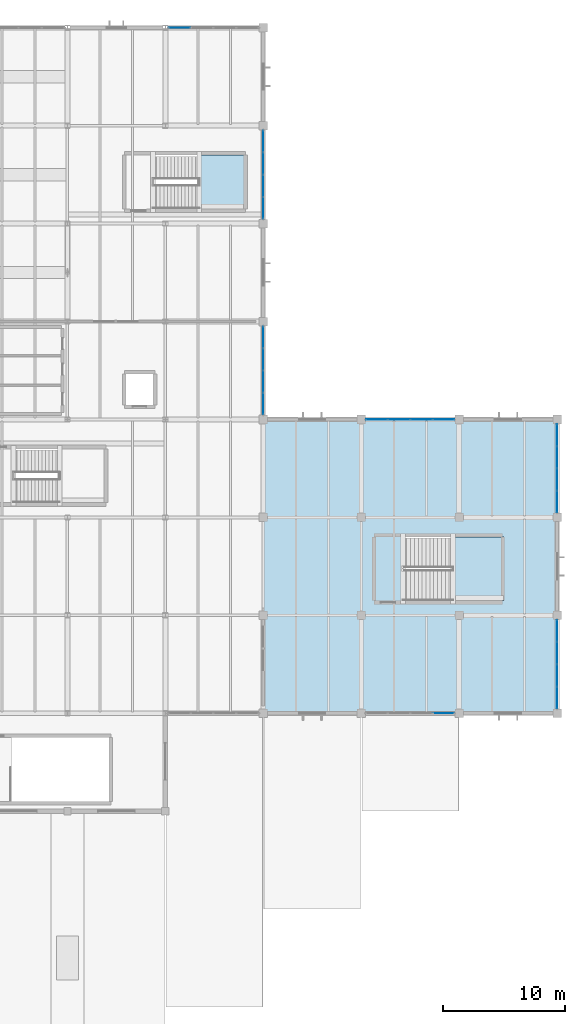
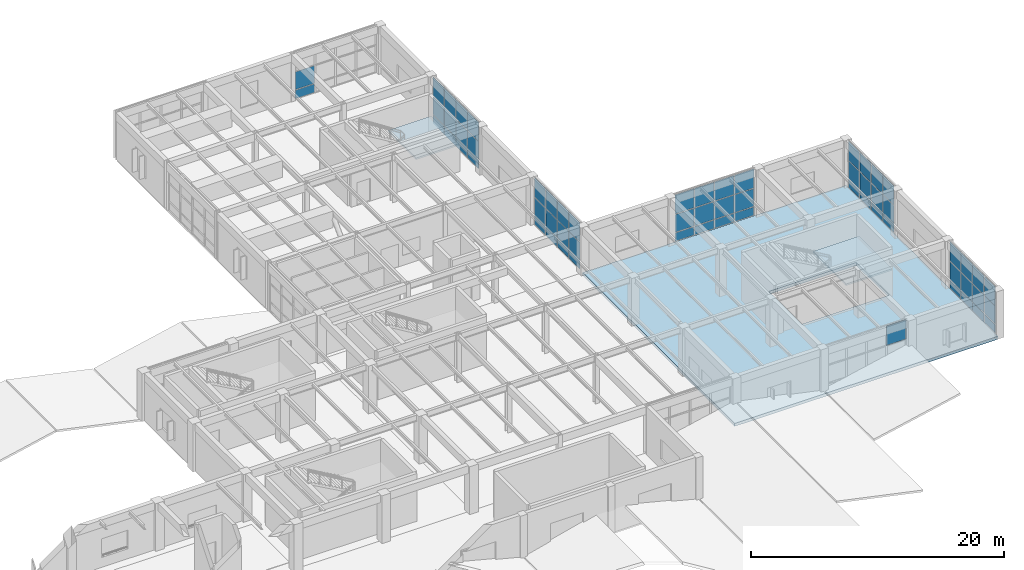
# One storey, part 38 of 60: 63 plates, 3 slabs, 9 elements without a shape of their own.
"""IFC4 building model written with IfcOpenShell, lengths in metres."""

from ifc_helpers import new_model, si_unit, direction, frame, origin, origin_2d, place, context, subcontext, project, spatial, polyline, rectangle, outline, extrude, material, layer, layer_set, type_object, element, aggregate, save


model = new_model("IFC4")

# Units and contexts
model_context = context("Model", 3, precision=1e-05, world=origin(), true_north=direction((0.0, 1.0)))
body_context = subcontext(model_context, "Body", "Model", "MODEL_VIEW")
ifc_project = project(units=[si_unit("LENGTHUNIT", "METRE"), si_unit("AREAUNIT", "SQUARE_METRE"), si_unit("VOLUMEUNIT", "CUBIC_METRE"), si_unit("PLANEANGLEUNIT", "RADIAN"), si_unit("MASSUNIT", "GRAM", prefix="KILO")], contexts=[model_context])

# Site, building, storey
site_placement = place(None, origin())
site = spatial("IfcSite", under=ifc_project, at=site_placement, CompositionType="ELEMENT")
building_placement = place(site_placement, origin())
building = spatial("IfcBuilding", under=site, at=building_placement, Name="Varnela Railside Interchange", CompositionType="ELEMENT")
storey_placement = place(building_placement, frame((0.0, 0.0, 6.300048828125)))
storey = spatial("IfcBuildingStorey", under=building, at=storey_placement, Name="L01", CompositionType="ELEMENT", Elevation=6.300048828125)

# Curtain wall, plates
ifc_material_1 = material(Name="Aluminium 6063-T6", Category="aluminium")
ifc_layer_1 = layer(ifc_material_1, 0.035888671875)
ifc_layer_set_1 = layer_set([ifc_layer_1], Name="Aluminium 6063-T6")
curtain_wall_type = type_object("IfcCurtainWallType", Name="Study Pavilion Gallery Curtain Wall CW-02", PredefinedType="USERDEFINED", material=ifc_layer_set_1)
curtain_wall_1_placement = place(storey_placement, origin())
curtain_wall_1 = element("IfcCurtainWall", 1, at=curtain_wall_1_placement, inside=storey, type_object=curtain_wall_type, Name="Curtain Wall CW-02 (L01) (CW-032)", ObjectType="CURTAIN WALL", PredefinedType="USERDEFINED")
ifc_material_2 = material(Name="Glass laminated double", Category="glass")
ifc_layer_2 = layer(ifc_material_2, 0.02001953125)
ifc_layer_set_2 = layer_set([ifc_layer_2], Name="Glass laminated double")
plate_type = type_object("IfcPlateType", Name="Low-E Vision Glazing Panel GL-01", PredefinedType="CURTAIN_PANEL", material=ifc_layer_set_2)
plate_1_placement = place(storey_placement, frame((133.145263671875, 94.0, 0.059814453125), z_axis=(0.0, 0.0, 1.0), x_axis=(1.0, 0.0, 0.0)))
plate_1 = element("IfcPlate", 2, at=plate_1_placement, type_object=plate_type, Name="CW-02 panel 1.1", PredefinedType="CURTAIN_PANEL", context=body_context, shape_type="SweptSolid", body=[
    extrude(rectangle(XDim=1.772705078125, YDim=0.02001953125, at=origin_2d()), origin(), (0.0, 0.0, 1.0), 0.81005859375),
])
plate_2_placement = place(storey_placement, frame((133.145263671875, 94.0, 0.929931640625), z_axis=(0.0, 0.0, 1.0), x_axis=(1.0, 0.0, 0.0)))
plate_2 = element("IfcPlate", 3, at=plate_2_placement, type_object=plate_type, Name="CW-02 panel 1.2", PredefinedType="CURTAIN_PANEL", context=body_context, shape_type="SweptSolid", body=[
    extrude(rectangle(XDim=1.772705078125, YDim=0.02001953125, at=origin_2d()), origin(), (0.0, 0.0, 1.0), 1.7080078125),
])
aggregate(curtain_wall_1, [plate_1, plate_2])

curtain_wall_2_placement = place(storey_placement, origin())
curtain_wall_2 = element("IfcCurtainWall", 4, at=curtain_wall_2_placement, inside=storey, type_object=curtain_wall_type, Name="Curtain Wall CW-02 (L01) (CW-033)", ObjectType="CURTAIN WALL", PredefinedType="USERDEFINED")
plate_3_placement = place(storey_placement, frame((140.0, 84.722412109375, 0.059814453125), z_axis=(0.0, 0.0, 1.0), x_axis=(0.0, -1.0, 0.0)))
plate_3 = element("IfcPlate", 5, at=plate_3_placement, type_object=plate_type, Name="CW-02 panel 1.1", PredefinedType="CURTAIN_PANEL", context=body_context, shape_type="SweptSolid", body=[
    extrude(rectangle(XDim=1.735107421875, YDim=0.02001953125, at=origin_2d()), origin(), (0.0, 0.0, 1.0), 0.81005859375),
])
plate_4_placement = place(storey_placement, frame((140.0, 84.722412109375, 0.929931640625), z_axis=(0.0, 0.0, 1.0), x_axis=(0.0, -1.0, 0.0)))
plate_4 = element("IfcPlate", 6, at=plate_4_placement, type_object=plate_type, Name="CW-02 panel 1.2", PredefinedType="CURTAIN_PANEL", context=body_context, shape_type="SweptSolid", body=[
    extrude(rectangle(XDim=1.735107421875, YDim=0.02001953125, at=origin_2d()), origin(), (0.0, 0.0, 1.0), 1.7080078125),
])
plate_5_placement = place(storey_placement, frame((140.0, 84.722412109375, 2.69775390625), z_axis=(0.0, 0.0, 1.0), x_axis=(0.0, -1.0, 0.0)))
plate_5 = element("IfcPlate", 7, at=plate_5_placement, type_object=plate_type, Name="CW-02 panel 1.3", PredefinedType="CURTAIN_PANEL", context=body_context, shape_type="SweptSolid", body=[
    extrude(rectangle(XDim=1.735107421875, YDim=0.02001953125, at=origin_2d()), origin(), (0.0, 0.0, 1.0), 1.842041015625),
])
plate_6_placement = place(storey_placement, frame((140.0, 82.91259765625, 0.059814453125), z_axis=(0.0, 0.0, 1.0), x_axis=(0.0, -1.0, 0.0)))
plate_6 = element("IfcPlate", 8, at=plate_6_placement, type_object=plate_type, Name="CW-02 panel 2.1", PredefinedType="CURTAIN_PANEL", context=body_context, shape_type="SweptSolid", body=[
    extrude(rectangle(XDim=1.764892578125, YDim=0.02001953125, at=origin_2d()), origin(), (0.0, 0.0, 1.0), 0.81005859375),
])
plate_7_placement = place(storey_placement, frame((140.0, 82.91259765625, 0.929931640625), z_axis=(0.0, 0.0, 1.0), x_axis=(0.0, -1.0, 0.0)))
plate_7 = element("IfcPlate", 9, at=plate_7_placement, type_object=plate_type, Name="CW-02 panel 2.2", PredefinedType="CURTAIN_PANEL", context=body_context, shape_type="SweptSolid", body=[
    extrude(rectangle(XDim=1.764892578125, YDim=0.02001953125, at=origin_2d()), origin(), (0.0, 0.0, 1.0), 1.7080078125),
])
plate_8_placement = place(storey_placement, frame((140.0, 82.91259765625, 2.69775390625), z_axis=(0.0, 0.0, 1.0), x_axis=(0.0, -1.0, 0.0)))
plate_8 = element("IfcPlate", 10, at=plate_8_placement, type_object=plate_type, Name="CW-02 panel 2.3", PredefinedType="CURTAIN_PANEL", context=body_context, shape_type="SweptSolid", body=[
    extrude(rectangle(XDim=1.764892578125, YDim=0.02001953125, at=origin_2d()), origin(), (0.0, 0.0, 1.0), 1.842041015625),
])
plate_9_placement = place(storey_placement, frame((140.0, 81.08740234375, 0.059814453125), z_axis=(0.0, 0.0, 1.0), x_axis=(0.0, -1.0, 0.0)))
plate_9 = element("IfcPlate", 11, at=plate_9_placement, type_object=plate_type, Name="CW-02 panel 3.1", PredefinedType="CURTAIN_PANEL", context=body_context, shape_type="SweptSolid", body=[
    extrude(rectangle(XDim=1.764892578125, YDim=0.02001953125, at=origin_2d()), origin(), (0.0, 0.0, 1.0), 0.81005859375),
])
plate_10_placement = place(storey_placement, frame((140.0, 81.08740234375, 0.929931640625), z_axis=(0.0, 0.0, 1.0), x_axis=(0.0, -1.0, 0.0)))
plate_10 = element("IfcPlate", 12, at=plate_10_placement, type_object=plate_type, Name="CW-02 panel 3.2", PredefinedType="CURTAIN_PANEL", context=body_context, shape_type="SweptSolid", body=[
    extrude(rectangle(XDim=1.764892578125, YDim=0.02001953125, at=origin_2d()), origin(), (0.0, 0.0, 1.0), 1.7080078125),
])
plate_11_placement = place(storey_placement, frame((140.0, 81.08740234375, 2.69775390625), z_axis=(0.0, 0.0, 1.0), x_axis=(0.0, -1.0, 0.0)))
plate_11 = element("IfcPlate", 13, at=plate_11_placement, type_object=plate_type, Name="CW-02 panel 3.3", PredefinedType="CURTAIN_PANEL", context=body_context, shape_type="SweptSolid", body=[
    extrude(rectangle(XDim=1.764892578125, YDim=0.02001953125, at=origin_2d()), origin(), (0.0, 0.0, 1.0), 1.842041015625),
])
plate_12_placement = place(storey_placement, frame((140.0, 79.277587890625, 0.059814453125), z_axis=(0.0, 0.0, 1.0), x_axis=(0.0, -1.0, 0.0)))
plate_12 = element("IfcPlate", 14, at=plate_12_placement, type_object=plate_type, Name="CW-02 panel 4.1", PredefinedType="CURTAIN_PANEL", context=body_context, shape_type="SweptSolid", body=[
    extrude(rectangle(XDim=1.735107421875, YDim=0.02001953125, at=origin_2d()), origin(), (0.0, 0.0, 1.0), 0.81005859375),
])
plate_13_placement = place(storey_placement, frame((140.0, 79.277587890625, 0.929931640625), z_axis=(0.0, 0.0, 1.0), x_axis=(0.0, -1.0, 0.0)))
plate_13 = element("IfcPlate", 15, at=plate_13_placement, type_object=plate_type, Name="CW-02 panel 4.2", PredefinedType="CURTAIN_PANEL", context=body_context, shape_type="SweptSolid", body=[
    extrude(rectangle(XDim=1.735107421875, YDim=0.02001953125, at=origin_2d()), origin(), (0.0, 0.0, 1.0), 1.7080078125),
])
plate_14_placement = place(storey_placement, frame((140.0, 79.277587890625, 2.69775390625), z_axis=(0.0, 0.0, 1.0), x_axis=(0.0, -1.0, 0.0)))
plate_14 = element("IfcPlate", 16, at=plate_14_placement, type_object=plate_type, Name="CW-02 panel 4.3", PredefinedType="CURTAIN_PANEL", context=body_context, shape_type="SweptSolid", body=[
    extrude(rectangle(XDim=1.735107421875, YDim=0.02001953125, at=origin_2d()), origin(), (0.0, 0.0, 1.0), 1.842041015625),
])
aggregate(curtain_wall_2, [plate_3, plate_4, plate_5, plate_6, plate_7, plate_8, plate_9, plate_10, plate_11, plate_12, plate_13, plate_14])

curtain_wall_3_placement = place(storey_placement, origin())
curtain_wall_3 = element("IfcCurtainWall", 17, at=curtain_wall_3_placement, inside=storey, type_object=curtain_wall_type, Name="Curtain Wall CW-02 (L01) (CW-035)", ObjectType="CURTAIN WALL", PredefinedType="USERDEFINED")
plate_15_placement = place(storey_placement, frame((140.0, 68.722412109375, 0.059814453125), z_axis=(0.0, 0.0, 1.0), x_axis=(0.0, -1.0, 0.0)))
plate_15 = element("IfcPlate", 18, at=plate_15_placement, type_object=plate_type, Name="CW-02 panel 1.1", PredefinedType="CURTAIN_PANEL", context=body_context, shape_type="SweptSolid", body=[
    extrude(rectangle(XDim=1.735107421875, YDim=0.02001953125, at=origin_2d()), origin(), (0.0, 0.0, 1.0), 0.81005859375),
])
plate_16_placement = place(storey_placement, frame((140.0, 68.722412109375, 0.929931640625), z_axis=(0.0, 0.0, 1.0), x_axis=(0.0, -1.0, 0.0)))
plate_16 = element("IfcPlate", 19, at=plate_16_placement, type_object=plate_type, Name="CW-02 panel 1.2", PredefinedType="CURTAIN_PANEL", context=body_context, shape_type="SweptSolid", body=[
    extrude(rectangle(XDim=1.735107421875, YDim=0.02001953125, at=origin_2d()), origin(), (0.0, 0.0, 1.0), 1.7080078125),
])
plate_17_placement = place(storey_placement, frame((140.0, 68.722412109375, 2.69775390625), z_axis=(0.0, 0.0, 1.0), x_axis=(0.0, -1.0, 0.0)))
plate_17 = element("IfcPlate", 20, at=plate_17_placement, type_object=plate_type, Name="CW-02 panel 1.3", PredefinedType="CURTAIN_PANEL", context=body_context, shape_type="SweptSolid", body=[
    extrude(rectangle(XDim=1.735107421875, YDim=0.02001953125, at=origin_2d()), origin(), (0.0, 0.0, 1.0), 1.842041015625),
])
plate_18_placement = place(storey_placement, frame((140.0, 66.91259765625, 0.059814453125), z_axis=(0.0, 0.0, 1.0), x_axis=(0.0, -1.0, 0.0)))
plate_18 = element("IfcPlate", 21, at=plate_18_placement, type_object=plate_type, Name="CW-02 panel 2.1", PredefinedType="CURTAIN_PANEL", context=body_context, shape_type="SweptSolid", body=[
    extrude(rectangle(XDim=1.764892578125, YDim=0.02001953125, at=origin_2d()), origin(), (0.0, 0.0, 1.0), 0.81005859375),
])
plate_19_placement = place(storey_placement, frame((140.0, 66.91259765625, 0.929931640625), z_axis=(0.0, 0.0, 1.0), x_axis=(0.0, -1.0, 0.0)))
plate_19 = element("IfcPlate", 22, at=plate_19_placement, type_object=plate_type, Name="CW-02 panel 2.2", PredefinedType="CURTAIN_PANEL", context=body_context, shape_type="SweptSolid", body=[
    extrude(rectangle(XDim=1.764892578125, YDim=0.02001953125, at=origin_2d()), origin(), (0.0, 0.0, 1.0), 1.7080078125),
])
plate_20_placement = place(storey_placement, frame((140.0, 66.91259765625, 2.69775390625), z_axis=(0.0, 0.0, 1.0), x_axis=(0.0, -1.0, 0.0)))
plate_20 = element("IfcPlate", 23, at=plate_20_placement, type_object=plate_type, Name="CW-02 panel 2.3", PredefinedType="CURTAIN_PANEL", context=body_context, shape_type="SweptSolid", body=[
    extrude(rectangle(XDim=1.764892578125, YDim=0.02001953125, at=origin_2d()), origin(), (0.0, 0.0, 1.0), 1.842041015625),
])
plate_21_placement = place(storey_placement, frame((140.0, 65.08740234375, 0.059814453125), z_axis=(0.0, 0.0, 1.0), x_axis=(0.0, -1.0, 0.0)))
plate_21 = element("IfcPlate", 24, at=plate_21_placement, type_object=plate_type, Name="CW-02 panel 3.1", PredefinedType="CURTAIN_PANEL", context=body_context, shape_type="SweptSolid", body=[
    extrude(rectangle(XDim=1.764892578125, YDim=0.02001953125, at=origin_2d()), origin(), (0.0, 0.0, 1.0), 0.81005859375),
])
plate_22_placement = place(storey_placement, frame((140.0, 65.08740234375, 0.929931640625), z_axis=(0.0, 0.0, 1.0), x_axis=(0.0, -1.0, 0.0)))
plate_22 = element("IfcPlate", 25, at=plate_22_placement, type_object=plate_type, Name="CW-02 panel 3.2", PredefinedType="CURTAIN_PANEL", context=body_context, shape_type="SweptSolid", body=[
    extrude(rectangle(XDim=1.764892578125, YDim=0.02001953125, at=origin_2d()), origin(), (0.0, 0.0, 1.0), 1.7080078125),
])
plate_23_placement = place(storey_placement, frame((140.0, 65.08740234375, 2.69775390625), z_axis=(0.0, 0.0, 1.0), x_axis=(0.0, -1.0, 0.0)))
plate_23 = element("IfcPlate", 26, at=plate_23_placement, type_object=plate_type, Name="CW-02 panel 3.3", PredefinedType="CURTAIN_PANEL", context=body_context, shape_type="SweptSolid", body=[
    extrude(rectangle(XDim=1.764892578125, YDim=0.02001953125, at=origin_2d()), origin(), (0.0, 0.0, 1.0), 1.842041015625),
])
plate_24_placement = place(storey_placement, frame((140.0, 63.277587890625, 0.059814453125), z_axis=(0.0, 0.0, 1.0), x_axis=(0.0, -1.0, 0.0)))
plate_24 = element("IfcPlate", 27, at=plate_24_placement, type_object=plate_type, Name="CW-02 panel 4.1", PredefinedType="CURTAIN_PANEL", context=body_context, shape_type="SweptSolid", body=[
    extrude(rectangle(XDim=1.735107421875, YDim=0.02001953125, at=origin_2d()), origin(), (0.0, 0.0, 1.0), 0.81005859375),
])
plate_25_placement = place(storey_placement, frame((140.0, 63.277587890625, 0.929931640625), z_axis=(0.0, 0.0, 1.0), x_axis=(0.0, -1.0, 0.0)))
plate_25 = element("IfcPlate", 28, at=plate_25_placement, type_object=plate_type, Name="CW-02 panel 4.2", PredefinedType="CURTAIN_PANEL", context=body_context, shape_type="SweptSolid", body=[
    extrude(rectangle(XDim=1.735107421875, YDim=0.02001953125, at=origin_2d()), origin(), (0.0, 0.0, 1.0), 1.7080078125),
])
plate_26_placement = place(storey_placement, frame((140.0, 63.277587890625, 2.69775390625), z_axis=(0.0, 0.0, 1.0), x_axis=(0.0, -1.0, 0.0)))
plate_26 = element("IfcPlate", 29, at=plate_26_placement, type_object=plate_type, Name="CW-02 panel 4.3", PredefinedType="CURTAIN_PANEL", context=body_context, shape_type="SweptSolid", body=[
    extrude(rectangle(XDim=1.735107421875, YDim=0.02001953125, at=origin_2d()), origin(), (0.0, 0.0, 1.0), 1.842041015625),
])
aggregate(curtain_wall_3, [plate_15, plate_16, plate_17, plate_18, plate_19, plate_20, plate_21, plate_22, plate_23, plate_24, plate_25, plate_26])

curtain_wall_4_placement = place(storey_placement, origin())
curtain_wall_4 = element("IfcCurtainWall", 30, at=curtain_wall_4_placement, inside=storey, type_object=curtain_wall_type, Name="Curtain Wall CW-02 (L01) (CW-036)", ObjectType="CURTAIN WALL", PredefinedType="USERDEFINED")
plate_27_placement = place(storey_placement, frame((149.277587890625, 62.0, 0.059814453125), z_axis=(0.0, 0.0, 1.0), x_axis=(1.0, 0.0, 0.0)))
plate_27 = element("IfcPlate", 31, at=plate_27_placement, type_object=plate_type, Name="CW-02 panel 1.1", PredefinedType="CURTAIN_PANEL", context=body_context, shape_type="SweptSolid", body=[
    extrude(rectangle(XDim=1.735107421875, YDim=0.02001953125, at=origin_2d()), origin(), (0.0, 0.0, 1.0), 0.81005859375),
])
plate_28_placement = place(storey_placement, frame((149.277587890625, 62.0, 0.929931640625), z_axis=(0.0, 0.0, 1.0), x_axis=(1.0, 0.0, 0.0)))
plate_28 = element("IfcPlate", 32, at=plate_28_placement, type_object=plate_type, Name="CW-02 panel 1.2", PredefinedType="CURTAIN_PANEL", context=body_context, shape_type="SweptSolid", body=[
    extrude(rectangle(XDim=1.735107421875, YDim=0.02001953125, at=origin_2d()), origin(), (0.0, 0.0, 1.0), 1.7080078125),
])
plate_29_placement = place(storey_placement, frame((149.277587890625, 62.0, 2.69775390625), z_axis=(0.0, 0.0, 1.0), x_axis=(1.0, 0.0, 0.0)))
plate_29 = element("IfcPlate", 33, at=plate_29_placement, type_object=plate_type, Name="CW-02 panel 1.3", PredefinedType="CURTAIN_PANEL", context=body_context, shape_type="SweptSolid", body=[
    extrude(rectangle(XDim=1.735107421875, YDim=0.02001953125, at=origin_2d()), origin(), (0.0, 0.0, 1.0), 1.842041015625),
])
plate_30_placement = place(storey_placement, frame((151.08740234375, 62.0, 0.059814453125), z_axis=(0.0, 0.0, 1.0), x_axis=(1.0, 0.0, 0.0)))
plate_30 = element("IfcPlate", 34, at=plate_30_placement, type_object=plate_type, Name="CW-02 panel 2.1", PredefinedType="CURTAIN_PANEL", context=body_context, shape_type="SweptSolid", body=[
    extrude(rectangle(XDim=1.764892578125, YDim=0.02001953125, at=origin_2d()), origin(), (0.0, 0.0, 1.0), 0.81005859375),
])
plate_31_placement = place(storey_placement, frame((151.08740234375, 62.0, 0.929931640625), z_axis=(0.0, 0.0, 1.0), x_axis=(1.0, 0.0, 0.0)))
plate_31 = element("IfcPlate", 35, at=plate_31_placement, type_object=plate_type, Name="CW-02 panel 2.2", PredefinedType="CURTAIN_PANEL", context=body_context, shape_type="SweptSolid", body=[
    extrude(rectangle(XDim=1.764892578125, YDim=0.02001953125, at=origin_2d()), origin(), (0.0, 0.0, 1.0), 1.7080078125),
])
plate_32_placement = place(storey_placement, frame((151.08740234375, 62.0, 2.69775390625), z_axis=(0.0, 0.0, 1.0), x_axis=(1.0, 0.0, 0.0)))
plate_32 = element("IfcPlate", 36, at=plate_32_placement, type_object=plate_type, Name="CW-02 panel 2.3", PredefinedType="CURTAIN_PANEL", context=body_context, shape_type="SweptSolid", body=[
    extrude(rectangle(XDim=1.764892578125, YDim=0.02001953125, at=origin_2d()), origin(), (0.0, 0.0, 1.0), 1.842041015625),
])
plate_33_placement = place(storey_placement, frame((152.91259765625, 62.0, 0.059814453125), z_axis=(0.0, 0.0, 1.0), x_axis=(1.0, 0.0, 0.0)))
plate_33 = element("IfcPlate", 37, at=plate_33_placement, type_object=plate_type, Name="CW-02 panel 3.1", PredefinedType="CURTAIN_PANEL", context=body_context, shape_type="SweptSolid", body=[
    extrude(rectangle(XDim=1.764892578125, YDim=0.02001953125, at=origin_2d()), origin(), (0.0, 0.0, 1.0), 0.81005859375),
])
plate_34_placement = place(storey_placement, frame((152.91259765625, 62.0, 0.929931640625), z_axis=(0.0, 0.0, 1.0), x_axis=(1.0, 0.0, 0.0)))
plate_34 = element("IfcPlate", 38, at=plate_34_placement, type_object=plate_type, Name="CW-02 panel 3.2", PredefinedType="CURTAIN_PANEL", context=body_context, shape_type="SweptSolid", body=[
    extrude(rectangle(XDim=1.764892578125, YDim=0.02001953125, at=origin_2d()), origin(), (0.0, 0.0, 1.0), 1.7080078125),
])
plate_35_placement = place(storey_placement, frame((152.91259765625, 62.0, 2.69775390625), z_axis=(0.0, 0.0, 1.0), x_axis=(1.0, 0.0, 0.0)))
plate_35 = element("IfcPlate", 39, at=plate_35_placement, type_object=plate_type, Name="CW-02 panel 3.3", PredefinedType="CURTAIN_PANEL", context=body_context, shape_type="SweptSolid", body=[
    extrude(rectangle(XDim=1.764892578125, YDim=0.02001953125, at=origin_2d()), origin(), (0.0, 0.0, 1.0), 1.842041015625),
])
plate_36_placement = place(storey_placement, frame((154.722412109375, 62.0, 0.059814453125), z_axis=(0.0, 0.0, 1.0), x_axis=(1.0, 0.0, 0.0)))
plate_36 = element("IfcPlate", 40, at=plate_36_placement, type_object=plate_type, Name="CW-02 panel 4.1", PredefinedType="CURTAIN_PANEL", context=body_context, shape_type="SweptSolid", body=[
    extrude(rectangle(XDim=1.735107421875, YDim=0.02001953125, at=origin_2d()), origin(), (0.0, 0.0, 1.0), 0.81005859375),
])
plate_37_placement = place(storey_placement, frame((154.722412109375, 62.0, 0.929931640625), z_axis=(0.0, 0.0, 1.0), x_axis=(1.0, 0.0, 0.0)))
plate_37 = element("IfcPlate", 41, at=plate_37_placement, type_object=plate_type, Name="CW-02 panel 4.2", PredefinedType="CURTAIN_PANEL", context=body_context, shape_type="SweptSolid", body=[
    extrude(rectangle(XDim=1.735107421875, YDim=0.02001953125, at=origin_2d()), origin(), (0.0, 0.0, 1.0), 1.7080078125),
])
plate_38_placement = place(storey_placement, frame((154.722412109375, 62.0, 2.69775390625), z_axis=(0.0, 0.0, 1.0), x_axis=(1.0, 0.0, 0.0)))
plate_38 = element("IfcPlate", 42, at=plate_38_placement, type_object=plate_type, Name="CW-02 panel 4.3", PredefinedType="CURTAIN_PANEL", context=body_context, shape_type="SweptSolid", body=[
    extrude(rectangle(XDim=1.735107421875, YDim=0.02001953125, at=origin_2d()), origin(), (0.0, 0.0, 1.0), 1.842041015625),
])
aggregate(curtain_wall_4, [plate_27, plate_28, plate_29, plate_30, plate_31, plate_32, plate_33, plate_34, plate_35, plate_36, plate_37, plate_38])

curtain_wall_5_placement = place(storey_placement, origin())
curtain_wall_5 = element("IfcCurtainWall", 43, at=curtain_wall_5_placement, inside=storey, type_object=curtain_wall_type, Name="Curtain Wall CW-02 (L01) (CW-037)", ObjectType="CURTAIN WALL", PredefinedType="USERDEFINED")
plate_39_placement = place(storey_placement, frame((164.0, 60.722412109375, 0.059814453125), z_axis=(0.0, 0.0, 1.0), x_axis=(0.0, -1.0, 0.0)))
plate_39 = element("IfcPlate", 44, at=plate_39_placement, type_object=plate_type, Name="CW-02 panel 1.1", PredefinedType="CURTAIN_PANEL", context=body_context, shape_type="SweptSolid", body=[
    extrude(rectangle(XDim=1.735107421875, YDim=0.02001953125, at=origin_2d()), origin(), (0.0, 0.0, 1.0), 0.81005859375),
])
plate_40_placement = place(storey_placement, frame((164.0, 60.722412109375, 0.929931640625), z_axis=(0.0, 0.0, 1.0), x_axis=(0.0, -1.0, 0.0)))
plate_40 = element("IfcPlate", 45, at=plate_40_placement, type_object=plate_type, Name="CW-02 panel 1.2", PredefinedType="CURTAIN_PANEL", context=body_context, shape_type="SweptSolid", body=[
    extrude(rectangle(XDim=1.735107421875, YDim=0.02001953125, at=origin_2d()), origin(), (0.0, 0.0, 1.0), 1.7080078125),
])
plate_41_placement = place(storey_placement, frame((164.0, 60.722412109375, 2.69775390625), z_axis=(0.0, 0.0, 1.0), x_axis=(0.0, -1.0, 0.0)))
plate_41 = element("IfcPlate", 46, at=plate_41_placement, type_object=plate_type, Name="CW-02 panel 1.3", PredefinedType="CURTAIN_PANEL", context=body_context, shape_type="SweptSolid", body=[
    extrude(rectangle(XDim=1.735107421875, YDim=0.02001953125, at=origin_2d()), origin(), (0.0, 0.0, 1.0), 1.842041015625),
])
plate_42_placement = place(storey_placement, frame((164.0, 58.91259765625, 0.059814453125), z_axis=(0.0, 0.0, 1.0), x_axis=(0.0, -1.0, 0.0)))
plate_42 = element("IfcPlate", 47, at=plate_42_placement, type_object=plate_type, Name="CW-02 panel 2.1", PredefinedType="CURTAIN_PANEL", context=body_context, shape_type="SweptSolid", body=[
    extrude(rectangle(XDim=1.764892578125, YDim=0.02001953125, at=origin_2d()), origin(), (0.0, 0.0, 1.0), 0.81005859375),
])
plate_43_placement = place(storey_placement, frame((164.0, 58.91259765625, 0.929931640625), z_axis=(0.0, 0.0, 1.0), x_axis=(0.0, -1.0, 0.0)))
plate_43 = element("IfcPlate", 48, at=plate_43_placement, type_object=plate_type, Name="CW-02 panel 2.2", PredefinedType="CURTAIN_PANEL", context=body_context, shape_type="SweptSolid", body=[
    extrude(rectangle(XDim=1.764892578125, YDim=0.02001953125, at=origin_2d()), origin(), (0.0, 0.0, 1.0), 1.7080078125),
])
plate_44_placement = place(storey_placement, frame((164.0, 58.91259765625, 2.69775390625), z_axis=(0.0, 0.0, 1.0), x_axis=(0.0, -1.0, 0.0)))
plate_44 = element("IfcPlate", 49, at=plate_44_placement, type_object=plate_type, Name="CW-02 panel 2.3", PredefinedType="CURTAIN_PANEL", context=body_context, shape_type="SweptSolid", body=[
    extrude(rectangle(XDim=1.764892578125, YDim=0.02001953125, at=origin_2d()), origin(), (0.0, 0.0, 1.0), 1.842041015625),
])
plate_45_placement = place(storey_placement, frame((164.0, 57.08740234375, 0.059814453125), z_axis=(0.0, 0.0, 1.0), x_axis=(0.0, -1.0, 0.0)))
plate_45 = element("IfcPlate", 50, at=plate_45_placement, type_object=plate_type, Name="CW-02 panel 3.1", PredefinedType="CURTAIN_PANEL", context=body_context, shape_type="SweptSolid", body=[
    extrude(rectangle(XDim=1.764892578125, YDim=0.02001953125, at=origin_2d()), origin(), (0.0, 0.0, 1.0), 0.81005859375),
])
plate_46_placement = place(storey_placement, frame((164.0, 57.08740234375, 0.929931640625), z_axis=(0.0, 0.0, 1.0), x_axis=(0.0, -1.0, 0.0)))
plate_46 = element("IfcPlate", 51, at=plate_46_placement, type_object=plate_type, Name="CW-02 panel 3.2", PredefinedType="CURTAIN_PANEL", context=body_context, shape_type="SweptSolid", body=[
    extrude(rectangle(XDim=1.764892578125, YDim=0.02001953125, at=origin_2d()), origin(), (0.0, 0.0, 1.0), 1.7080078125),
])
plate_47_placement = place(storey_placement, frame((164.0, 57.08740234375, 2.69775390625), z_axis=(0.0, 0.0, 1.0), x_axis=(0.0, -1.0, 0.0)))
plate_47 = element("IfcPlate", 52, at=plate_47_placement, type_object=plate_type, Name="CW-02 panel 3.3", PredefinedType="CURTAIN_PANEL", context=body_context, shape_type="SweptSolid", body=[
    extrude(rectangle(XDim=1.764892578125, YDim=0.02001953125, at=origin_2d()), origin(), (0.0, 0.0, 1.0), 1.842041015625),
])
plate_48_placement = place(storey_placement, frame((164.0, 55.277587890625, 0.059814453125), z_axis=(0.0, 0.0, 1.0), x_axis=(0.0, -1.0, 0.0)))
plate_48 = element("IfcPlate", 53, at=plate_48_placement, type_object=plate_type, Name="CW-02 panel 4.1", PredefinedType="CURTAIN_PANEL", context=body_context, shape_type="SweptSolid", body=[
    extrude(rectangle(XDim=1.735107421875, YDim=0.02001953125, at=origin_2d()), origin(), (0.0, 0.0, 1.0), 0.81005859375),
])
plate_49_placement = place(storey_placement, frame((164.0, 55.277587890625, 0.929931640625), z_axis=(0.0, 0.0, 1.0), x_axis=(0.0, -1.0, 0.0)))
plate_49 = element("IfcPlate", 54, at=plate_49_placement, type_object=plate_type, Name="CW-02 panel 4.2", PredefinedType="CURTAIN_PANEL", context=body_context, shape_type="SweptSolid", body=[
    extrude(rectangle(XDim=1.735107421875, YDim=0.02001953125, at=origin_2d()), origin(), (0.0, 0.0, 1.0), 1.7080078125),
])
plate_50_placement = place(storey_placement, frame((164.0, 55.277587890625, 2.69775390625), z_axis=(0.0, 0.0, 1.0), x_axis=(0.0, -1.0, 0.0)))
plate_50 = element("IfcPlate", 55, at=plate_50_placement, type_object=plate_type, Name="CW-02 panel 4.3", PredefinedType="CURTAIN_PANEL", context=body_context, shape_type="SweptSolid", body=[
    extrude(rectangle(XDim=1.735107421875, YDim=0.02001953125, at=origin_2d()), origin(), (0.0, 0.0, 1.0), 1.842041015625),
])
aggregate(curtain_wall_5, [plate_39, plate_40, plate_41, plate_42, plate_43, plate_44, plate_45, plate_46, plate_47, plate_48, plate_49, plate_50])

curtain_wall_6_placement = place(storey_placement, origin())
curtain_wall_6 = element("IfcCurtainWall", 56, at=curtain_wall_6_placement, inside=storey, type_object=curtain_wall_type, Name="Curtain Wall CW-02 (L01) (CW-038)", ObjectType="CURTAIN WALL", PredefinedType="USERDEFINED")
plate_51_placement = place(storey_placement, frame((164.0, 44.722412109375, 0.059814453125), z_axis=(0.0, 0.0, 1.0), x_axis=(0.0, -1.0, 0.0)))
plate_51 = element("IfcPlate", 57, at=plate_51_placement, type_object=plate_type, Name="CW-02 panel 1.1", PredefinedType="CURTAIN_PANEL", context=body_context, shape_type="SweptSolid", body=[
    extrude(rectangle(XDim=1.735107421875, YDim=0.02001953125, at=origin_2d()), origin(), (0.0, 0.0, 1.0), 0.81005859375),
])
plate_52_placement = place(storey_placement, frame((164.0, 44.722412109375, 0.929931640625), z_axis=(0.0, 0.0, 1.0), x_axis=(0.0, -1.0, 0.0)))
plate_52 = element("IfcPlate", 58, at=plate_52_placement, type_object=plate_type, Name="CW-02 panel 1.2", PredefinedType="CURTAIN_PANEL", context=body_context, shape_type="SweptSolid", body=[
    extrude(rectangle(XDim=1.735107421875, YDim=0.02001953125, at=origin_2d()), origin(), (0.0, 0.0, 1.0), 1.7080078125),
])
plate_53_placement = place(storey_placement, frame((164.0, 44.722412109375, 2.69775390625), z_axis=(0.0, 0.0, 1.0), x_axis=(0.0, -1.0, 0.0)))
plate_53 = element("IfcPlate", 59, at=plate_53_placement, type_object=plate_type, Name="CW-02 panel 1.3", PredefinedType="CURTAIN_PANEL", context=body_context, shape_type="SweptSolid", body=[
    extrude(rectangle(XDim=1.735107421875, YDim=0.02001953125, at=origin_2d()), origin(), (0.0, 0.0, 1.0), 1.842041015625),
])
plate_54_placement = place(storey_placement, frame((164.0, 42.91259765625, 0.059814453125), z_axis=(0.0, 0.0, 1.0), x_axis=(0.0, -1.0, 0.0)))
plate_54 = element("IfcPlate", 60, at=plate_54_placement, type_object=plate_type, Name="CW-02 panel 2.1", PredefinedType="CURTAIN_PANEL", context=body_context, shape_type="SweptSolid", body=[
    extrude(rectangle(XDim=1.764892578125, YDim=0.02001953125, at=origin_2d()), origin(), (0.0, 0.0, 1.0), 0.81005859375),
])
plate_55_placement = place(storey_placement, frame((164.0, 42.91259765625, 0.929931640625), z_axis=(0.0, 0.0, 1.0), x_axis=(0.0, -1.0, 0.0)))
plate_55 = element("IfcPlate", 61, at=plate_55_placement, type_object=plate_type, Name="CW-02 panel 2.2", PredefinedType="CURTAIN_PANEL", context=body_context, shape_type="SweptSolid", body=[
    extrude(rectangle(XDim=1.764892578125, YDim=0.02001953125, at=origin_2d()), origin(), (0.0, 0.0, 1.0), 1.7080078125),
])
plate_56_placement = place(storey_placement, frame((164.0, 42.91259765625, 2.69775390625), z_axis=(0.0, 0.0, 1.0), x_axis=(0.0, -1.0, 0.0)))
plate_56 = element("IfcPlate", 62, at=plate_56_placement, type_object=plate_type, Name="CW-02 panel 2.3", PredefinedType="CURTAIN_PANEL", context=body_context, shape_type="SweptSolid", body=[
    extrude(rectangle(XDim=1.764892578125, YDim=0.02001953125, at=origin_2d()), origin(), (0.0, 0.0, 1.0), 1.842041015625),
])
plate_57_placement = place(storey_placement, frame((164.0, 41.08740234375, 0.059814453125), z_axis=(0.0, 0.0, 1.0), x_axis=(0.0, -1.0, 0.0)))
plate_57 = element("IfcPlate", 63, at=plate_57_placement, type_object=plate_type, Name="CW-02 panel 3.1", PredefinedType="CURTAIN_PANEL", context=body_context, shape_type="SweptSolid", body=[
    extrude(rectangle(XDim=1.764892578125, YDim=0.02001953125, at=origin_2d()), origin(), (0.0, 0.0, 1.0), 0.81005859375),
])
plate_58_placement = place(storey_placement, frame((164.0, 41.08740234375, 0.929931640625), z_axis=(0.0, 0.0, 1.0), x_axis=(0.0, -1.0, 0.0)))
plate_58 = element("IfcPlate", 64, at=plate_58_placement, type_object=plate_type, Name="CW-02 panel 3.2", PredefinedType="CURTAIN_PANEL", context=body_context, shape_type="SweptSolid", body=[
    extrude(rectangle(XDim=1.764892578125, YDim=0.02001953125, at=origin_2d()), origin(), (0.0, 0.0, 1.0), 1.7080078125),
])
plate_59_placement = place(storey_placement, frame((164.0, 41.08740234375, 2.69775390625), z_axis=(0.0, 0.0, 1.0), x_axis=(0.0, -1.0, 0.0)))
plate_59 = element("IfcPlate", 65, at=plate_59_placement, type_object=plate_type, Name="CW-02 panel 3.3", PredefinedType="CURTAIN_PANEL", context=body_context, shape_type="SweptSolid", body=[
    extrude(rectangle(XDim=1.764892578125, YDim=0.02001953125, at=origin_2d()), origin(), (0.0, 0.0, 1.0), 1.842041015625),
])
plate_60_placement = place(storey_placement, frame((164.0, 39.277587890625, 0.059814453125), z_axis=(0.0, 0.0, 1.0), x_axis=(0.0, -1.0, 0.0)))
plate_60 = element("IfcPlate", 66, at=plate_60_placement, type_object=plate_type, Name="CW-02 panel 4.1", PredefinedType="CURTAIN_PANEL", context=body_context, shape_type="SweptSolid", body=[
    extrude(rectangle(XDim=1.735107421875, YDim=0.02001953125, at=origin_2d()), origin(), (0.0, 0.0, 1.0), 0.81005859375),
])
plate_61_placement = place(storey_placement, frame((164.0, 39.277587890625, 0.929931640625), z_axis=(0.0, 0.0, 1.0), x_axis=(0.0, -1.0, 0.0)))
plate_61 = element("IfcPlate", 67, at=plate_61_placement, type_object=plate_type, Name="CW-02 panel 4.2", PredefinedType="CURTAIN_PANEL", context=body_context, shape_type="SweptSolid", body=[
    extrude(rectangle(XDim=1.735107421875, YDim=0.02001953125, at=origin_2d()), origin(), (0.0, 0.0, 1.0), 1.7080078125),
])
plate_62_placement = place(storey_placement, frame((164.0, 39.277587890625, 2.69775390625), z_axis=(0.0, 0.0, 1.0), x_axis=(0.0, -1.0, 0.0)))
plate_62 = element("IfcPlate", 68, at=plate_62_placement, type_object=plate_type, Name="CW-02 panel 4.3", PredefinedType="CURTAIN_PANEL", context=body_context, shape_type="SweptSolid", body=[
    extrude(rectangle(XDim=1.735107421875, YDim=0.02001953125, at=origin_2d()), origin(), (0.0, 0.0, 1.0), 1.842041015625),
])
aggregate(curtain_wall_6, [plate_51, plate_52, plate_53, plate_54, plate_55, plate_56, plate_57, plate_58, plate_59, plate_60, plate_61, plate_62])

# Curtain wall, plate
curtain_wall_7_placement = place(storey_placement, origin())
curtain_wall_7 = element("IfcCurtainWall", 69, at=curtain_wall_7_placement, inside=storey, type_object=curtain_wall_type, Name="Curtain Wall CW-02 (L01) (CW-039)", ObjectType="CURTAIN WALL", PredefinedType="USERDEFINED")
plate_63_placement = place(storey_placement, frame((154.722412109375, 38.0, 2.69775390625), z_axis=(0.0, 0.0, 1.0), x_axis=(-1.0, 0.0, 0.0)))
plate_63 = element("IfcPlate", 70, at=plate_63_placement, type_object=plate_type, Name="CW-02 panel 1.3", PredefinedType="CURTAIN_PANEL", context=body_context, shape_type="SweptSolid", body=[
    extrude(rectangle(XDim=1.735107421875, YDim=0.02001953125, at=origin_2d()), origin(), (0.0, 0.0, 1.0), 1.842041015625),
])
aggregate(curtain_wall_7, [plate_63])

# Slab
ifc_material_3 = material(Name="Concrete C40", Category="concrete")
ifc_layer_3 = layer(ifc_material_3, 0.280029296875)
ifc_layer_set_3 = layer_set([ifc_layer_3], Name="Concrete C40")
slab_type_1 = type_object("IfcSlabType", Name="Over-Station Gallery Slab SL-L01", PredefinedType="FLOOR", material=ifc_layer_set_3)
slab_1_placement = place(storey_placement, frame((0.0, 0.0, -0.280029296875)))
element("IfcSlab", 71, at=slab_1_placement, inside=storey, type_object=slab_type_1, Name="Over-Station Gallery Slab SL-L01 (L01) (SL-0081)", PredefinedType="FLOOR", context=body_context, shape_type="SweptSolid", body=[
    extrude(outline(polyline([(140.0, 38.0), (164.0, 38.0), (164.0, 62.0), (140.0, 62.0), (140.0, 38.0)]), holes=[polyline([(151.429931640625, 47.199951171875), (159.39990234375, 47.199951171875), (159.39990234375, 52.39990234375), (151.429931640625, 52.39990234375), (151.429931640625, 47.199951171875)])]), origin(), (0.0, 0.0, 1.0), 0.280029296875),
])

# Stair, slab
stair_type_1 = type_object("IfcStairType", Name="Study Pavilion Stair ST-180", PredefinedType="TWO_STRAIGHT_RUN_STAIR", material=ifc_material_3)
stair_1_placement = place(storey_placement, origin())
stair_1 = element("IfcStair", 72, at=stair_1_placement, inside=storey, type_object=stair_type_1, Name="Stair ST-E2 (L01) (SF-139)", PredefinedType="TWO_STRAIGHT_RUN_STAIR")
ifc_layer_4 = layer(ifc_material_3, 0.159912109375)
ifc_layer_set_4 = layer_set([ifc_layer_4], Name="Concrete C40")
slab_type_2 = type_object("IfcSlabType", Name="Stair Half-Landing Slab SL-LD", PredefinedType="LANDING", material=ifc_layer_set_4)
slab_2_placement = place(storey_placement, frame((0.0, 0.0, 2.2900390625)))
slab_2 = element("IfcSlab", 73, at=slab_2_placement, type_object=slab_type_2, Name="ST-E2 landing 1 (SL-0123)", PredefinedType="LANDING", context=body_context, shape_type="SweptSolid", body=[
    extrude(outline(polyline([(134.739990234375, 79.199951171875), (138.659912109375, 79.199951171875), (138.659912109375, 83.60009765625), (134.739990234375, 83.60009765625), (134.739990234375, 79.199951171875)])), origin(), (0.0, 0.0, 1.0), 0.159912109375),
])
aggregate(stair_1, [slab_2])

stair_type_2 = type_object("IfcStairType", Name="Concourse Public Stair ST-235", PredefinedType="TWO_STRAIGHT_RUN_STAIR", material=ifc_material_3)
stair_2_placement = place(storey_placement, origin())
stair_2 = element("IfcStair", 74, at=stair_2_placement, inside=storey, type_object=stair_type_2, Name="Stair ST-E3 (L01) (SF-142)", PredefinedType="TWO_STRAIGHT_RUN_STAIR")
slab_3_placement = place(storey_placement, frame((0.0, 0.0, 2.2900390625)))
slab_3 = element("IfcSlab", 75, at=slab_3_placement, type_object=slab_type_2, Name="ST-E3 landing 1 (SL-0124)", PredefinedType="LANDING", context=body_context, shape_type="SweptSolid", body=[
    extrude(outline(polyline([(155.465087890625, 47.199951171875), (159.659912109375, 47.199951171875), (159.659912109375, 52.39990234375), (155.465087890625, 52.39990234375), (155.465087890625, 47.199951171875)])), origin(), (0.0, 0.0, 1.0), 0.159912109375),
])
aggregate(stair_2, [slab_3])

save(model, "model.ifc")
